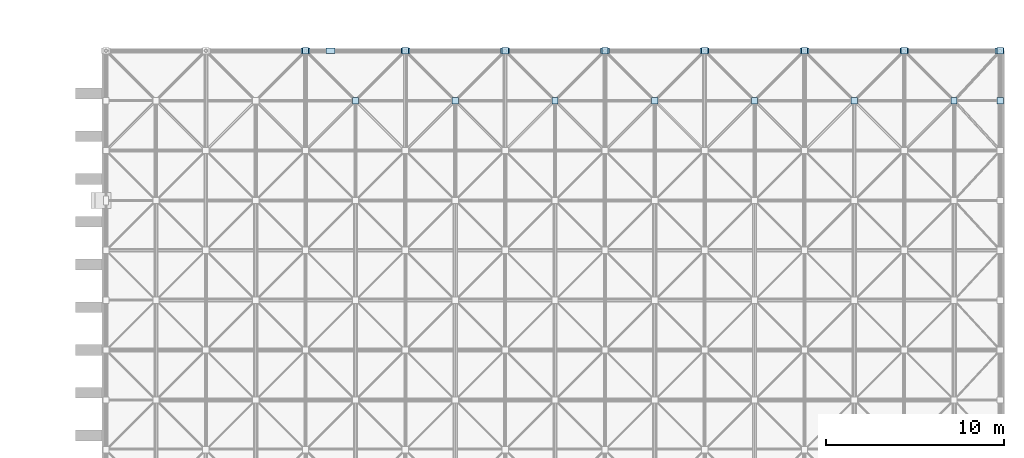
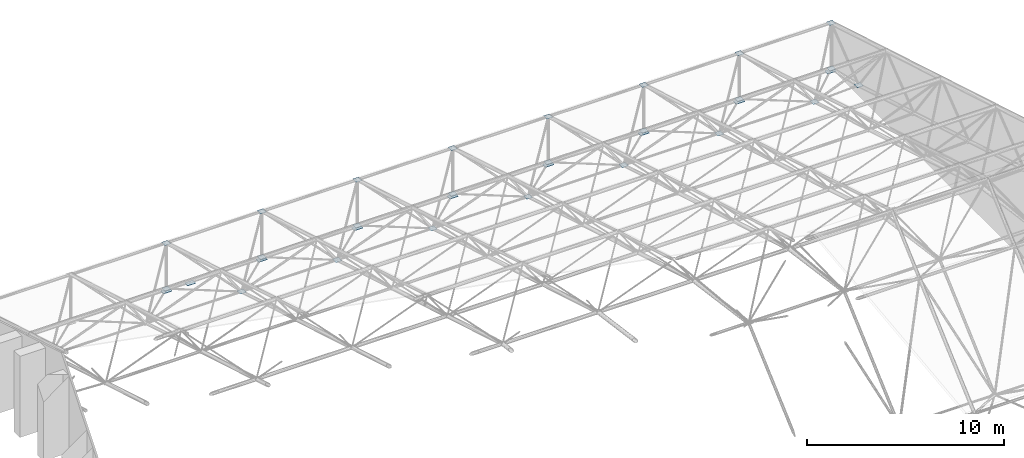
# One storey, part 63 of 100: 33 plates.
"""IFC4 building model written with IfcOpenShell, lengths in metres."""

from ifc_helpers import new_model, si_unit, direction, frame, origin, origin_2d, place, context, subcontext, project, spatial, rectangle, extrude, material, layer, layer_set, type_object, element, save


model = new_model("IFC4")

# Units and contexts
model_context = context("Model", 3, precision=1e-05, world=origin(), true_north=direction((0.0, 1.0)))
body_context = subcontext(model_context, "Body", "Model", "MODEL_VIEW")
ifc_project = project(units=[si_unit("LENGTHUNIT", "METRE"), si_unit("AREAUNIT", "SQUARE_METRE"), si_unit("VOLUMEUNIT", "CUBIC_METRE"), si_unit("PLANEANGLEUNIT", "RADIAN"), si_unit("MASSUNIT", "GRAM", prefix="KILO")], contexts=[model_context])

# Site, building, storey
site_placement = place(None, origin())
site = spatial("IfcSite", under=ifc_project, at=site_placement, CompositionType="ELEMENT")
building_placement = place(site_placement, origin())
building = spatial("IfcBuilding", under=site, at=building_placement, Name="Kiln Court Media Centre", CompositionType="ELEMENT")
storey_placement = place(building_placement, frame((0.0, 0.0, 15.0)))
storey = spatial("IfcBuildingStorey", under=building, at=storey_placement, Name="L03", CompositionType="ELEMENT", Elevation=15.0)

# Plates
ifc_material_1 = material(Name="Steel ASTM A572 Gr 50", Category="steel")
ifc_layer_1 = layer(ifc_material_1, 0.010009765625)
ifc_layer_set_1 = layer_set([ifc_layer_1], Name="Steel ASTM A572 Gr 50 350x350x10 connection plate V2")
plate_type_1 = type_object("IfcPlateType", Name="Steel ASTM A572 Gr 50 350x350x10 connection plate V2", PredefinedType="USERDEFINED", material=ifc_layer_set_1)
for number, where, z_axis, x_axis, name in (
    (1, (128.800048828125, 67.199951171875, 0.15966796875), (0.0, 0.0, 1.0), (1.0, 0.0, 0.0), "V2 node connection plate"),
    (2, (128.800048828125, 67.199951171875, 2.9951171875), (0.0, 0.0, 1.0), (1.0, 0.0, 0.0), "V2 node connection plate"),
    (3, (131.60009765625, 64.39990234375, 0.6982421875), (0.0, 0.0, 1.0), (1.0, 0.0, 0.0), "V2 node connection plate"),
    (4, (134.39990234375, 67.199951171875, 0.15966796875), (0.0, 0.0, 1.0), (1.0, 0.0, 0.0), "V2 node connection plate"),
    (5, (134.39990234375, 67.199951171875, 2.9951171875), (0.0, 0.0, 1.0), (1.0, 0.0, 0.0), "V2 node connection plate"),
    (6, (137.199951171875, 64.39990234375, 0.6982421875), (0.0, 0.0, 1.0), (1.0, 0.0, 0.0), "V2 node connection plate"),
    (7, (140.0, 67.199951171875, 0.15966796875), (0.0, 0.0, 1.0), (1.0, 0.0, 0.0), "V2 node connection plate"),
    (8, (140.0, 67.199951171875, 2.9951171875), (0.0, 0.0, 1.0), (1.0, 0.0, 0.0), "V2 node connection plate"),
    (9, (142.800048828125, 64.39990234375, 0.6982421875), (0.0, 0.0, 1.0), (1.0, 0.0, 0.0), "V2 node connection plate"),
    (10, (145.60009765625, 67.199951171875, 0.15966796875), (0.0, 0.0, 1.0), (1.0, 0.0, 0.0), "V2 node connection plate"),
    (11, (145.60009765625, 67.199951171875, 2.9951171875), (0.0, 0.0, 1.0), (1.0, 0.0, 0.0), "V2 node connection plate"),
    (12, (148.39990234375, 64.39990234375, 0.6982421875), (0.0, 0.0, 1.0), (1.0, 0.0, 0.0), "V2 node connection plate"),
    (13, (151.199951171875, 67.199951171875, 0.15966796875), (0.0, 0.0, 1.0), (1.0, 0.0, 0.0), "V2 node connection plate"),
    (14, (151.199951171875, 67.199951171875, 2.9951171875), (0.0, 0.0, 1.0), (1.0, 0.0, 0.0), "V2 node connection plate"),
    (15, (154.0, 64.39990234375, 0.6982421875), (0.0, 0.0, 1.0), (1.0, 0.0, 0.0), "V2 node connection plate"),
    (16, (156.800048828125, 67.199951171875, 0.15966796875), (0.0, 0.0, 1.0), (1.0, 0.0, 0.0), "V2 node connection plate"),
    (17, (156.800048828125, 67.199951171875, 2.9951171875), (0.0, 0.0, 1.0), (1.0, 0.0, 0.0), "V2 node connection plate"),
    (18, (159.60009765625, 64.39990234375, 0.6982421875), (0.0, 0.0, 1.0), (1.0, 0.0, 0.0), "V2 node connection plate"),
    (19, (162.39990234375, 67.199951171875, 0.15966796875), (0.0, 0.0, 1.0), (1.0, 0.0, 0.0), "V2 node connection plate"),
    (20, (162.39990234375, 67.199951171875, 2.9951171875), (0.0, 0.0, 1.0), (1.0, 0.0, 0.0), "V2 node connection plate"),
    (21, (165.199951171875, 64.39990234375, 0.6982421875), (0.0, 0.0, 1.0), (1.0, 0.0, 0.0), "V2 node connection plate"),
    (22, (167.78662109375, 64.39990234375, 0.8232421875), (0.0, 0.0, 1.0), (1.0, 0.0, 0.0), "V2 node connection plate"),
    (23, (167.78662109375, 67.199951171875, 0.15966796875), (0.0, 0.0, 1.0), (1.0, 0.0, 0.0), "V2 node connection plate"),
    (24, (167.78662109375, 67.199951171875, 2.9951171875), (0.0, 0.0, 1.0), (1.0, 0.0, 0.0), "V2 node connection plate"),
):
    element("IfcPlate", number, at=place(storey_placement, frame(where, z_axis=z_axis, x_axis=x_axis)), inside=storey, type_object=plate_type_1, Name=name, ObjectType="CONNECTION PLATE", PredefinedType="USERDEFINED", context=body_context, shape_type="SweptSolid", body=[
        extrude(rectangle(XDim=0.35009765625, YDim=0.35009765625, at=origin_2d()), origin(), (0.0, 0.0, 1.0), 0.010009765625),
    ])
ifc_material_2 = material(Name="Steel ASTM A572 Gr 50", Category="steel")
ifc_layer_2 = layer(ifc_material_2, 0.030029296875)
ifc_layer_set_2 = layer_set([ifc_layer_2], Name="Steel ASTM A572 Gr 50 500x300x30 bearing plate")
plate_type_2 = type_object("IfcPlateType", Name="Steel ASTM A572 Gr 50 500x300x30 bearing plate", PredefinedType="USERDEFINED", material=ifc_layer_set_2)
for number, where, z_axis, x_axis, name in (
    (25, (128.800048828125, 67.199951171875, -0.001953125), (0.0, 0.0, 1.0), (1.0, 0.0, 0.0), "V2 roof bearing plate at node 128.8 67.2 bearing plate"),
    (26, (134.39990234375, 67.199951171875, -0.001953125), (0.0, 0.0, 1.0), (1.0, 0.0, 0.0), "V2 roof bearing plate at node 134.4 67.2 bearing plate"),
    (27, (140.0, 67.199951171875, -0.001953125), (0.0, 0.0, 1.0), (1.0, 0.0, 0.0), "V2 roof bearing plate at node 140.0 67.2 bearing plate"),
    (28, (145.60009765625, 67.199951171875, -0.001953125), (0.0, 0.0, 1.0), (1.0, 0.0, 0.0), "V2 roof bearing plate at node 145.6 67.2 bearing plate"),
    (29, (156.800048828125, 67.199951171875, -0.001953125), (0.0, 0.0, 1.0), (1.0, 0.0, 0.0), "V2 roof bearing plate at node 156.8 67.2 bearing plate"),
    (30, (162.39990234375, 67.199951171875, -0.001953125), (0.0, 0.0, 1.0), (1.0, 0.0, 0.0), "V2 roof bearing plate at node 162.4 67.2 bearing plate"),
    (31, (167.75, 67.199951171875, -0.001953125), (0.0, 0.0, 1.0), (1.0, 0.0, 0.0), "V2 roof bearing plate at node 167.8 67.2 bearing plate"),
    (32, (130.199951171875, 67.199951171875, -0.001953125), (0.0, 0.0, 1.0), (1.0, 0.0, 0.0), "V2 roof bearing plate at RC-V2-4 bearing plate"),
    (33, (151.199951171875, 67.199951171875, -0.001953125), (0.0, 0.0, 1.0), (1.0, 0.0, 0.0), "V2 roof bearing plate at RC-V2-5 bearing plate"),
):
    element("IfcPlate", number, at=place(storey_placement, frame(where, z_axis=z_axis, x_axis=x_axis)), inside=storey, type_object=plate_type_2, Name=name, ObjectType="BEARING PLATE", PredefinedType="USERDEFINED", context=body_context, shape_type="SweptSolid", body=[
        extrude(rectangle(XDim=0.5, YDim=0.300048828125, at=origin_2d()), origin(), (0.0, 0.0, 1.0), 0.030029296875),
    ])

save(model, "model.ifc")
